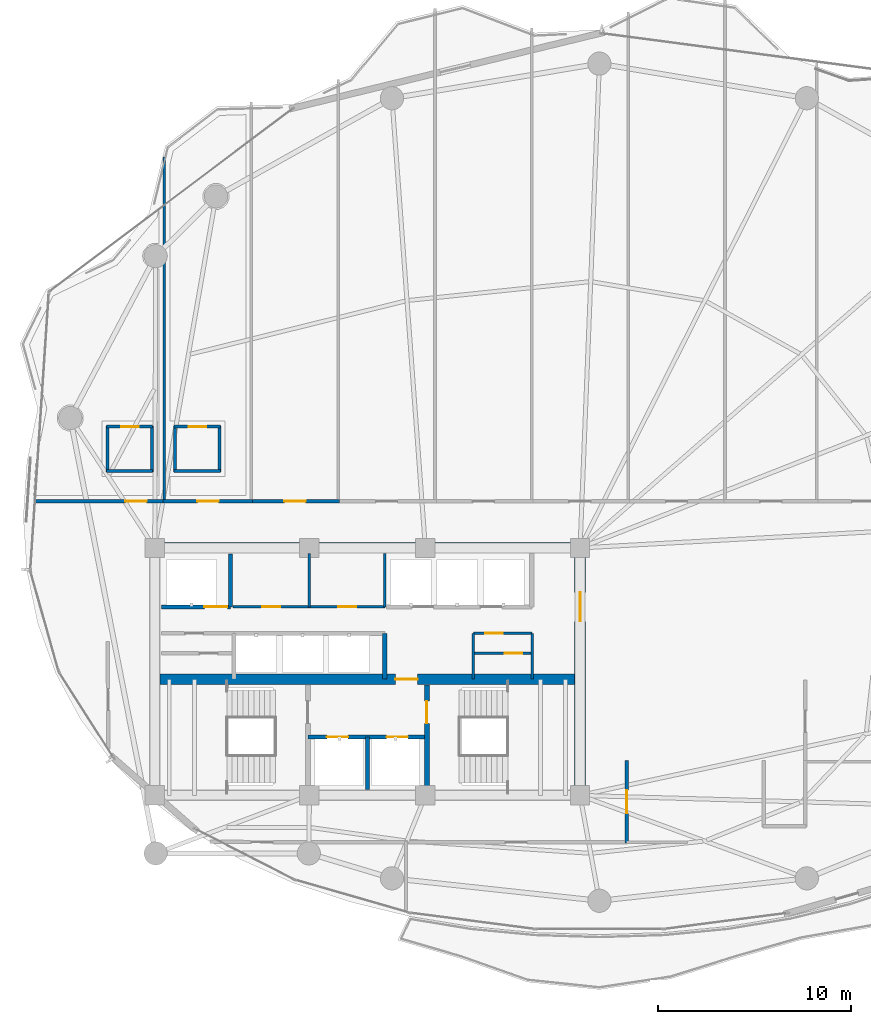
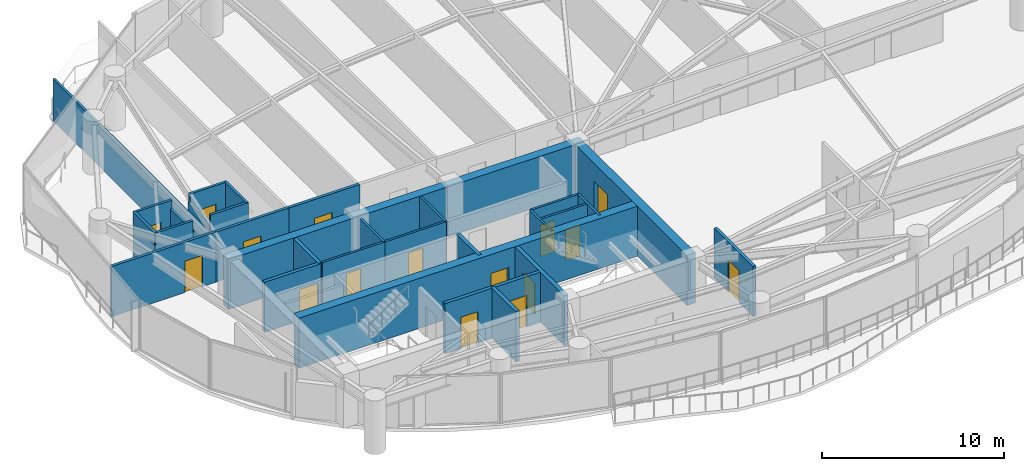
# One storey, part 25 of 30: 30 walls, 16 doors, 16 openings.
"""IFC4 building model written with IfcOpenShell, lengths in metres."""

from ifc_helpers import new_model, si_unit, direction, frame, frame_2d, origin, place, context, subcontext, project, spatial, rectangle, extrude, material, layer, layer_set, type_object, element, fill, save


model = new_model("IFC4")

# Units and contexts
model_context = context("Model", 3, precision=1e-05, world=origin(), true_north=direction((0.0, 1.0)))
body_context = subcontext(model_context, "Body", "Model", "MODEL_VIEW")
ifc_project = project(units=[si_unit("LENGTHUNIT", "METRE"), si_unit("AREAUNIT", "SQUARE_METRE"), si_unit("VOLUMEUNIT", "CUBIC_METRE"), si_unit("PLANEANGLEUNIT", "RADIAN"), si_unit("MASSUNIT", "GRAM", prefix="KILO")], contexts=[model_context])

# Site, building, storey
site_placement = place(None, origin())
site = spatial("IfcSite", under=ifc_project, at=site_placement, CompositionType="ELEMENT")
building_placement = place(site_placement, origin())
building = spatial("IfcBuilding", under=site, at=building_placement, Name="Kazevale Care Tower and Concert Hall", CompositionType="ELEMENT")
storey_placement = place(building_placement, frame((0.0, 0.0, 131.39990234375)))
storey = spatial("IfcBuildingStorey", under=building, at=storey_placement, Name="L34", CompositionType="ELEMENT", Elevation=131.39990234375)

# Wall, opening, door
ifc_material_1 = material(Name="Acoustic Gypsum on Steel Stud", Category="steel")
ifc_layer_1 = layer(ifc_material_1, 0.139892578125)
ifc_layer_set_1 = layer_set([ifc_layer_1], Name="Acoustic Gypsum on Steel Stud")
wall_type_1 = type_object("IfcWallType", Name="Acoustic Care & Suite Partition 140", PredefinedType="PARTITIONING", material=ifc_layer_set_1)
wall_1_placement = place(storey_placement, frame((26.050048828125, 33.35009765625, 0.0), z_axis=(0.0, 0.0, 1.0), x_axis=(1.0, 0.0, 0.0)))
wall_1 = element("IfcWall", 1, at=wall_1_placement, inside=storey, type_object=wall_type_1, Name="wall:L34:c_rpl1_s", PredefinedType="PARTITIONING", context=body_context, shape_type="SweptSolid", body=[
    extrude(rectangle(XDim=3.949951171875, YDim=0.139892578125, at=frame_2d((1.97509765625, 0.0))), origin(), (0.0, 0.0, 1.0), 3.360107421875),
])
opening_1_placement = place(wall_1_placement, frame((1.514892578125, 0.0, 0.0)))
opening_1 = element("IfcOpeningElement", 2, at=opening_1_placement, cuts=wall_1, Name="Opening ID-900", PredefinedType="OPENING", context=body_context, shape_type="SweptSolid", body=[
    extrude(rectangle(XDim=0.919921875, YDim=2.10009765625, at=frame_2d((0.4599609375, 1.050048828125))), frame((0.0, 0.079833984375, 0.0), z_axis=(0.0, -1.0, 0.0), x_axis=(1.0, 0.0, 0.0)), (0.0, 0.0, 1.0), 0.159912109375),
])
ifc_material_2 = material(Name="Oak Timber Fire Leaf", Category="wood")
door_type_1 = type_object("IfcDoorType", Name="Bathroom & Service Door 920x2100", OperationType="NOTDEFINED", PredefinedType="DOOR", material=ifc_material_2)
door_1_placement = place(opening_1_placement, origin())
door_1 = element("IfcDoor", 3, at=door_1_placement, inside=storey, type_object=door_type_1, Name="door:L34:d_rpl1", OperationType="SINGLE_SWING_LEFT", OverallHeight=2.10009765625, OverallWidth=0.919921875, PredefinedType="DOOR", context=body_context, shape_type="SweptSolid", body=[
    extrude(rectangle(XDim=0.919921875, YDim=2.10009765625, at=frame_2d((0.4599609375, 1.050048828125))), frame((0.0, 0.02490234375, 0.0), z_axis=(0.0, -1.0, 0.0), x_axis=(1.0, 0.0, 0.0)), (0.0, 0.0, 1.0), 0.050048828125),
])
fill(opening_1, door_1)

wall_2_placement = place(storey_placement, frame((30.0, 33.35009765625, 0.0), z_axis=(0.0, 0.0, 1.0), x_axis=(1.0, 0.0, 0.0)))
wall_2 = element("IfcWall", 4, at=wall_2_placement, inside=storey, type_object=wall_type_1, Name="wall:L34:c_rpl2_s", PredefinedType="PARTITIONING", context=body_context, shape_type="SweptSolid", body=[
    extrude(rectangle(XDim=3.919921875, YDim=0.139892578125, at=frame_2d((1.9599609375, 0.0))), origin(), (0.0, 0.0, 1.0), 3.360107421875),
])
opening_2_placement = place(wall_2_placement, frame((1.5, 0.0, 0.0)))
opening_2 = element("IfcOpeningElement", 5, at=opening_2_placement, cuts=wall_2, Name="Opening ID-900", PredefinedType="OPENING", context=body_context, shape_type="SweptSolid", body=[
    extrude(rectangle(XDim=0.919921875, YDim=2.10009765625, at=frame_2d((0.4599609375, 1.050048828125))), frame((0.0, 0.079833984375, 0.0), z_axis=(0.0, -1.0, 0.0), x_axis=(1.0, 0.0, 0.0)), (0.0, 0.0, 1.0), 0.159912109375),
])
door_2_placement = place(opening_2_placement, origin())
door_2 = element("IfcDoor", 6, at=door_2_placement, inside=storey, type_object=door_type_1, Name="door:L34:d_rpl2", OperationType="SINGLE_SWING_RIGHT", OverallHeight=2.10009765625, OverallWidth=0.919921875, PredefinedType="DOOR", context=body_context, shape_type="SweptSolid", body=[
    extrude(rectangle(XDim=0.919921875, YDim=2.10009765625, at=frame_2d((0.4599609375, 1.050048828125))), frame((0.0, 0.02490234375, 0.0), z_axis=(0.0, -1.0, 0.0), x_axis=(1.0, 0.0, 0.0)), (0.0, 0.0, 1.0), 0.050048828125),
])
fill(opening_2, door_2)

# Walls
for number, where, z_axis, x_axis, name in (
    (7, (30.0, 33.35009765625, 0.0), (0.0, 0.0, 1.0), (0.0, 1.0, 0.0), "wall:L34:c_rpl_m"),
    (8, (33.89990234375, 33.35009765625, 0.0), (0.0, 0.0, 1.0), (0.0, 1.0, 0.0), "wall:L34:c_rpl_e"),
):
    element("IfcWall", number, at=place(storey_placement, frame(where, z_axis=z_axis, x_axis=x_axis)), inside=storey, type_object=wall_type_1, Name=name, PredefinedType="PARTITIONING", context=body_context, shape_type="SweptSolid", body=[
        extrude(rectangle(XDim=2.75, YDim=0.139892578125, at=frame_2d((1.375, 0.0))), origin(), (0.0, 0.0, 1.0), 3.360107421875),
    ])
for number, where, z_axis, x_axis, name in (
    (9, (38.47998046875, 29.6201171875, 0.0), (0.0, 0.0, 1.0), (0.0, 1.0, 0.0), "wall:L34:kc_ew"),
    (10, (41.52001953125, 29.6201171875, 0.0), (0.0, 0.0, 1.0), (0.0, 1.0, 0.0), "wall:L34:kc_ee"),
):
    element("IfcWall", number, at=place(storey_placement, frame(where, z_axis=z_axis, x_axis=x_axis)), inside=storey, type_object=wall_type_1, Name=name, PredefinedType="PARTITIONING", context=body_context, shape_type="SweptSolid", body=[
        extrude(rectangle(XDim=2.35986328125, YDim=0.139892578125, at=frame_2d((1.179931640625, 0.0))), origin(), (0.0, 0.0, 1.0), 3.360107421875),
    ])

# Wall, opening, door
wall_3_placement = place(storey_placement, frame((38.47998046875, 30.949951171875, 0.0), z_axis=(0.0, 0.0, 1.0), x_axis=(1.0, 0.0, 0.0)))
wall_3 = element("IfcWall", 11, at=wall_3_placement, inside=storey, type_object=wall_type_1, Name="wall:L34:kc_em", PredefinedType="PARTITIONING", context=body_context, shape_type="SweptSolid", body=[
    extrude(rectangle(XDim=3.0400390625, YDim=0.139892578125, at=frame_2d((1.52001953125, 0.0))), origin(), (0.0, 0.0, 1.0), 3.360107421875),
])
opening_3_placement = place(wall_3_placement, frame((1.616943359375, 0.0, 0.0)))
opening_3 = element("IfcOpeningElement", 12, at=opening_3_placement, cuts=wall_3, Name="Opening ID-900", PredefinedType="OPENING", context=body_context, shape_type="SweptSolid", body=[
    extrude(rectangle(XDim=0.919921875, YDim=2.10009765625, at=frame_2d((0.4599609375, 1.050048828125))), frame((0.0, 0.079833984375, 0.0), z_axis=(0.0, -1.0, 0.0), x_axis=(1.0, 0.0, 0.0)), (0.0, 0.0, 1.0), 0.159912109375),
])
door_3_placement = place(opening_3_placement, origin())
door_3 = element("IfcDoor", 13, at=door_3_placement, inside=storey, type_object=door_type_1, Name="door:L34:d_kceb", OperationType="SINGLE_SWING_RIGHT", OverallHeight=2.10009765625, OverallWidth=0.919921875, PredefinedType="DOOR", context=body_context, shape_type="SweptSolid", body=[
    extrude(rectangle(XDim=0.919921875, YDim=2.10009765625, at=frame_2d((0.4599609375, 1.050048828125))), frame((0.0, 0.02490234375, 0.0), z_axis=(0.0, -1.0, 0.0), x_axis=(1.0, 0.0, 0.0)), (0.0, 0.0, 1.0), 0.050048828125),
])
fill(opening_3, door_3)

wall_4_placement = place(storey_placement, frame((38.47998046875, 31.97998046875, 0.0), z_axis=(0.0, 0.0, 1.0), x_axis=(1.0, 0.0, 0.0)))
wall_4 = element("IfcWall", 14, at=wall_4_placement, inside=storey, type_object=wall_type_1, Name="wall:L34:kc_en", PredefinedType="PARTITIONING", context=body_context, shape_type="SweptSolid", body=[
    extrude(rectangle(XDim=3.0400390625, YDim=0.139892578125, at=frame_2d((1.52001953125, 0.0))), origin(), (0.0, 0.0, 1.0), 3.360107421875),
])
opening_4_placement = place(wall_4_placement, frame((0.614013671875, 0.0, 0.0)))
opening_4 = element("IfcOpeningElement", 15, at=opening_4_placement, cuts=wall_4, Name="Opening ID-900", PredefinedType="OPENING", context=body_context, shape_type="SweptSolid", body=[
    extrude(rectangle(XDim=0.919921875, YDim=2.10009765625, at=frame_2d((0.4599609375, 1.050048828125))), frame((0.0, 0.079833984375, 0.0), z_axis=(0.0, -1.0, 0.0), x_axis=(1.0, 0.0, 0.0)), (0.0, 0.0, 1.0), 0.159912109375),
])
door_4_placement = place(opening_4_placement, origin())
door_4 = element("IfcDoor", 16, at=door_4_placement, inside=storey, type_object=door_type_1, Name="door:L34:d_kcet", OperationType="SINGLE_SWING_LEFT", OverallHeight=2.10009765625, OverallWidth=0.919921875, PredefinedType="DOOR", context=body_context, shape_type="SweptSolid", body=[
    extrude(rectangle(XDim=0.919921875, YDim=2.10009765625, at=frame_2d((0.4599609375, 1.050048828125))), frame((0.0, 0.02490234375, 0.0), z_axis=(0.0, -1.0, 0.0), x_axis=(1.0, 0.0, 0.0)), (0.0, 0.0, 1.0), 0.050048828125),
])
fill(opening_4, door_4)

# Walls
wall_5_placement = place(storey_placement, frame((22.5, 56.613037109375, 0.0), z_axis=(0.0, 0.0, 1.0), x_axis=(0.0, -1.0, 0.0)))
element("IfcWall", 17, at=wall_5_placement, inside=storey, type_object=wall_type_1, Name="wall:L34:auto_019", PredefinedType="PARTITIONING", context=body_context, shape_type="SweptSolid", body=[
    extrude(rectangle(XDim=17.818115234375, YDim=0.139892578125, at=frame_2d((8.9091796875, 0.0))), origin(), (0.0, 0.0, 1.0), 2.80615234375),
])
ifc_material_3 = material(Name="Concrete C60", Category="concrete")
ifc_layer_2 = layer(ifc_material_3, 0.550048828125)
ifc_layer_set_2 = layer_set([ifc_layer_2], Name="Concrete C60")
wall_type_2 = type_object("IfcWallType", Name="Core Shear Wall 550 C60", PredefinedType="SHEAR", material=ifc_layer_set_2)
wall_6_placement = place(storey_placement, frame((21.72509765625, 36.39990234375, 0.0), z_axis=(0.0, 0.0, 1.0), x_axis=(1.0, 0.0, 0.0)))
element("IfcWall", 18, at=wall_6_placement, inside=storey, type_object=wall_type_2, Name="wall:L34:core:N", PredefinedType="SHEAR", context=body_context, shape_type="SweptSolid", body=[
    extrude(rectangle(XDim=22.5498046875, YDim=0.550048828125, at=frame_2d((11.27490234375, 0.0))), origin(), (0.0, 0.0, 1.0), 3.360107421875),
])

# Wall, opening, door
wall_7_placement = place(storey_placement, frame((44.0, 23.875, 0.0), z_axis=(0.0, 0.0, 1.0), x_axis=(0.0, 1.0, 0.0)))
wall_7 = element("IfcWall", 19, at=wall_7_placement, inside=storey, type_object=wall_type_2, Name="wall:L34:core:E", PredefinedType="SHEAR", context=body_context, shape_type="SweptSolid", body=[
    extrude(rectangle(XDim=12.25, YDim=0.550048828125, at=frame_2d((6.125, 0.0))), origin(), (0.0, 0.0, 1.0), 3.360107421875),
])
opening_5_placement = place(wall_7_placement, frame((8.72509765625, 0.0, 0.0)))
opening_5 = element("IfcOpeningElement", 20, at=opening_5_placement, cuts=wall_7, Name="Opening FD-60D", PredefinedType="OPENING", context=body_context, shape_type="SweptSolid", body=[
    extrude(rectangle(XDim=1.5, YDim=2.14990234375, at=frame_2d((0.75, 1.074951171875))), frame((0.0, 0.284912109375, 0.0), z_axis=(0.0, -1.0, 0.0), x_axis=(1.0, 0.0, 0.0)), (0.0, 0.0, 1.0), 0.570068359375),
])
door_type_2 = type_object("IfcDoorType", Name="Double Lobby & Auditorium Fire Door 1500x2150", OperationType="NOTDEFINED", PredefinedType="DOOR", material=ifc_material_2)
door_5_placement = place(opening_5_placement, origin())
door_5 = element("IfcDoor", 21, at=door_5_placement, inside=storey, type_object=door_type_2, Name="door:L34:core_east_out", OperationType="DOUBLE_DOOR_SINGLE_SWING", OverallHeight=2.14990234375, OverallWidth=1.5, PredefinedType="DOOR", context=body_context, shape_type="SweptSolid", body=[
    extrude(rectangle(XDim=1.5, YDim=2.14990234375, at=frame_2d((0.75, 1.074951171875))), frame((0.0, 0.02490234375, 0.0), z_axis=(0.0, -1.0, 0.0), x_axis=(1.0, 0.0, 0.0)), (0.0, 0.0, 1.0), 0.050048828125),
])
fill(opening_5, door_5)

wall_8_placement = place(storey_placement, frame((22.27490234375, 29.60009765625, 0.0), z_axis=(0.0, 0.0, 1.0), x_axis=(1.0, 0.0, 0.0)))
wall_8 = element("IfcWall", 22, at=wall_8_placement, inside=storey, type_object=wall_type_2, Name="wall:L34:core:M", PredefinedType="SHEAR", context=body_context, shape_type="SweptSolid", body=[
    extrude(rectangle(XDim=21.4501953125, YDim=0.550048828125, at=frame_2d((10.72509765625, 0.0))), origin(), (0.0, 0.0, 1.0), 3.360107421875),
])
opening_6_placement = place(wall_8_placement, frame((12.175048828125, 0.0, 0.0)))
opening_6 = element("IfcOpeningElement", 23, at=opening_6_placement, cuts=wall_8, Name="Opening FD-90", PredefinedType="OPENING", context=body_context, shape_type="SweptSolid", body=[
    extrude(rectangle(XDim=1.14990234375, YDim=2.10009765625, at=frame_2d((0.574951171875, 1.050048828125))), frame((0.0, 0.284912109375, 0.0), z_axis=(0.0, -1.0, 0.0), x_axis=(1.0, 0.0, 0.0)), (0.0, 0.0, 1.0), 0.570068359375),
])
ifc_material_4 = material(Name="Steel ASTM A572 Gr 50", Category="steel")
door_type_3 = type_object("IfcDoorType", Name="Pressurized Stair & Lobby Fire Door 1150x2100", OperationType="NOTDEFINED", PredefinedType="DOOR", material=ifc_material_4)
door_6_placement = place(opening_6_placement, origin())
door_6 = element("IfcDoor", 24, at=door_6_placement, inside=storey, type_object=door_type_3, Name="door:L34:ff_to_pax", OperationType="SINGLE_SWING_LEFT", OverallHeight=2.10009765625, OverallWidth=1.14990234375, PredefinedType="DOOR", context=body_context, shape_type="SweptSolid", body=[
    extrude(rectangle(XDim=1.14990234375, YDim=2.10009765625, at=frame_2d((0.574951171875, 1.050048828125))), frame((0.0, 0.02490234375, 0.0), z_axis=(0.0, -1.0, 0.0), x_axis=(1.0, 0.0, 0.0)), (0.0, 0.0, 1.0), 0.050048828125),
])
fill(opening_6, door_6)

# Wall, openings, doors
ifc_material_5 = material(Name="Concrete C40", Category="concrete")
ifc_layer_3 = layer(ifc_material_5, 0.219970703125)
ifc_layer_set_3 = layer_set([ifc_layer_3], Name="Concrete C40")
wall_type_3 = type_object("IfcWallType", Name="Elevator Hoistway Shaft Wall 220", PredefinedType="SOLIDWALL", material=ifc_layer_set_3)
wall_9_placement = place(storey_placement, frame((29.919921875, 26.6201171875, 0.0), z_axis=(0.0, 0.0, 1.0), x_axis=(1.0, 0.0, 0.0)))
wall_9 = element("IfcWall", 25, at=wall_9_placement, inside=storey, type_object=wall_type_3, Name="wall:L34:c_ffl_n", PredefinedType="SOLIDWALL", context=body_context, shape_type="SweptSolid", body=[
    extrude(rectangle(XDim=6.16015625, YDim=0.219970703125, at=frame_2d((3.080078125, 0.0))), origin(), (0.0, 0.0, 1.0), 3.360107421875),
])
opening_7_placement = place(wall_9_placement, frame((0.989990234375, 0.0, 0.0)))
opening_7 = element("IfcOpeningElement", 26, at=opening_7_placement, cuts=wall_9, Name="Opening LD-FF", PredefinedType="OPENING", context=body_context, shape_type="SweptSolid", body=[
    extrude(rectangle(XDim=1.10009765625, YDim=2.10009765625, at=frame_2d((0.550048828125, 1.050048828125))), frame((0.0, 0.119873046875, 0.0), z_axis=(0.0, -1.0, 0.0), x_axis=(1.0, 0.0, 0.0)), (0.0, 0.0, 1.0), 0.239990234375),
])
opening_8_placement = place(wall_9_placement, frame((4.070068359375, 0.0, 0.0)))
opening_8 = element("IfcOpeningElement", 27, at=opening_8_placement, cuts=wall_9, Name="Opening LD-FF", PredefinedType="OPENING", context=body_context, shape_type="SweptSolid", body=[
    extrude(rectangle(XDim=1.10009765625, YDim=2.10009765625, at=frame_2d((0.550048828125, 1.050048828125))), frame((0.0, 0.119873046875, 0.0), z_axis=(0.0, -1.0, 0.0), x_axis=(1.0, 0.0, 0.0)), (0.0, 0.0, 1.0), 0.239990234375),
])
ifc_material_6 = material(Name="Stainless Steel 316", Category="steel")
door_type_4 = type_object("IfcDoorType", Name="Emergency Lift Sliding Landing Door 1100x2100", OperationType="NOTDEFINED", PredefinedType="DOOR", material=ifc_material_6)
door_7_placement = place(opening_7_placement, origin())
door_7 = element("IfcDoor", 28, at=door_7_placement, inside=storey, type_object=door_type_4, Name="door:L34:ld_ffl1", OperationType="SLIDING_TO_LEFT", OverallHeight=2.10009765625, OverallWidth=1.10009765625, PredefinedType="DOOR", context=body_context, shape_type="SweptSolid", body=[
    extrude(rectangle(XDim=1.10009765625, YDim=2.10009765625, at=frame_2d((0.550048828125, 1.050048828125))), frame((0.0, 0.02490234375, 0.0), z_axis=(0.0, -1.0, 0.0), x_axis=(1.0, 0.0, 0.0)), (0.0, 0.0, 1.0), 0.050048828125),
])
fill(opening_7, door_7)
door_8_placement = place(opening_8_placement, origin())
door_8 = element("IfcDoor", 29, at=door_8_placement, inside=storey, type_object=door_type_4, Name="door:L34:ld_ffl2", OperationType="SLIDING_TO_RIGHT", OverallHeight=2.10009765625, OverallWidth=1.10009765625, PredefinedType="DOOR", context=body_context, shape_type="SweptSolid", body=[
    extrude(rectangle(XDim=1.10009765625, YDim=2.10009765625, at=frame_2d((0.550048828125, 1.050048828125))), frame((0.0, 0.02490234375, 0.0), z_axis=(0.0, -1.0, 0.0), x_axis=(1.0, 0.0, 0.0)), (0.0, 0.0, 1.0), 0.050048828125),
])
fill(opening_8, door_8)

# Walls
wall_10_placement = place(storey_placement, frame((33.0, 23.89990234375, 0.0), z_axis=(0.0, 0.0, 1.0), x_axis=(0.0, 1.0, 0.0)))
element("IfcWall", 30, at=wall_10_placement, inside=storey, type_object=wall_type_3, Name="wall:L34:c_ffl_m", PredefinedType="SOLIDWALL", context=body_context, shape_type="SweptSolid", body=[
    extrude(rectangle(XDim=2.72021484375, YDim=0.219970703125, at=frame_2d((1.360107421875, 0.0))), origin(), (0.0, 0.0, 1.0), 3.360107421875),
])
wall_11_placement = place(storey_placement, frame((25.919921875, 33.35009765625, 0.0), z_axis=(0.0, 0.0, 1.0), x_axis=(0.0, 1.0, 0.0)))
element("IfcWall", 31, at=wall_11_placement, inside=storey, type_object=wall_type_3, Name="wall:L34:c_svl_e", PredefinedType="SOLIDWALL", context=body_context, shape_type="SweptSolid", body=[
    extrude(rectangle(XDim=2.72998046875, YDim=0.219970703125, at=frame_2d((1.364990234375, 0.0))), origin(), (0.0, 0.0, 1.0), 3.360107421875),
])

# Wall, opening, door
wall_12_placement = place(storey_placement, frame((22.35009765625, 33.35009765625, 0.0), z_axis=(0.0, 0.0, 1.0), x_axis=(1.0, 0.0, 0.0)))
wall_12 = element("IfcWall", 32, at=wall_12_placement, inside=storey, type_object=wall_type_3, Name="wall:L34:c_svl_s", PredefinedType="SOLIDWALL", context=body_context, shape_type="SweptSolid", body=[
    extrude(rectangle(XDim=3.56982421875, YDim=0.219970703125, at=frame_2d((1.784912109375, 0.0))), origin(), (0.0, 0.0, 1.0), 3.360107421875),
])
opening_9_placement = place(wall_12_placement, frame((2.212890625, 0.0, 0.0)))
opening_9 = element("IfcOpeningElement", 33, at=opening_9_placement, cuts=wall_12, Name="Opening LD-SV", PredefinedType="OPENING", context=body_context, shape_type="SweptSolid", body=[
    extrude(rectangle(XDim=1.199951171875, YDim=2.10009765625, at=frame_2d((0.60009765625, 1.050048828125))), frame((0.0, 0.119873046875, 0.0), z_axis=(0.0, -1.0, 0.0), x_axis=(1.0, 0.0, 0.0)), (0.0, 0.0, 1.0), 0.239990234375),
])
door_type_5 = type_object("IfcDoorType", Name="Service Lift Sliding Landing Door 1200x2100", OperationType="NOTDEFINED", PredefinedType="DOOR", material=ifc_material_6)
door_9_placement = place(opening_9_placement, origin())
door_9 = element("IfcDoor", 34, at=door_9_placement, inside=storey, type_object=door_type_5, Name="door:L34:ld_svl1", OperationType="SLIDING_TO_LEFT", OverallHeight=2.10009765625, OverallWidth=1.199951171875, PredefinedType="DOOR", context=body_context, shape_type="SweptSolid", body=[
    extrude(rectangle(XDim=1.199951171875, YDim=2.10009765625, at=frame_2d((0.60009765625, 1.050048828125))), frame((0.0, 0.02490234375, 0.0), z_axis=(0.0, -1.0, 0.0), x_axis=(1.0, 0.0, 0.0)), (0.0, 0.0, 1.0), 0.050048828125),
])
fill(opening_9, door_9)

# Wall
wall_13_placement = place(storey_placement, frame((33.89990234375, 29.6201171875, 0.0), z_axis=(0.0, 0.0, 1.0), x_axis=(0.0, 1.0, 0.0)))
element("IfcWall", 35, at=wall_13_placement, inside=storey, type_object=wall_type_3, Name="wall:L34:c_ph_e", PredefinedType="SOLIDWALL", context=body_context, shape_type="SweptSolid", body=[
    extrude(rectangle(XDim=2.35986328125, YDim=0.219970703125, at=frame_2d((1.179931640625, 0.0))), origin(), (0.0, 0.0, 1.0), 3.360107421875),
])

# Wall, opening, door
ifc_material_7 = material(Name="Concrete C40 and Acoustic Gypsum", Category="concrete")
ifc_layer_4 = layer(ifc_material_7, 0.179931640625)
ifc_layer_set_4 = layer_set([ifc_layer_4], Name="Concrete C40 and Acoustic Gypsum")
wall_type_4 = type_object("IfcWallType", Name="Fire-Rated Corridor & Party Wall 180", PredefinedType="PARTITIONING", material=ifc_layer_set_4)
wall_14_placement = place(storey_placement, frame((15.816650390625, 38.824951171875, 0.0), z_axis=(0.0, 0.0, 1.0), x_axis=(1.0, 0.0, 0.0)))
wall_14 = element("IfcWall", 36, at=wall_14_placement, inside=storey, type_object=wall_type_4, Name="wall:L34:auto_001", PredefinedType="PARTITIONING", context=body_context, shape_type="SweptSolid", body=[
    extrude(rectangle(XDim=6.748291015625, YDim=0.179931640625, at=frame_2d((3.3740234375, 0.0))), origin(), (0.0, 0.0, 1.0), 3.360107421875),
])
opening_10_placement = place(wall_14_placement, frame((4.6630859375, 0.0, 0.0)))
opening_10 = element("IfcOpeningElement", 37, at=opening_10_placement, cuts=wall_14, Name="Opening ID-1100", PredefinedType="OPENING", context=body_context, shape_type="SweptSolid", body=[
    extrude(rectangle(XDim=1.10009765625, YDim=2.10009765625, at=frame_2d((0.550048828125, 1.050048828125))), frame((0.0, 0.099853515625, 0.0), z_axis=(0.0, -1.0, 0.0), x_axis=(1.0, 0.0, 0.0)), (0.0, 0.0, 1.0), 0.199951171875),
])
door_type_6 = type_object("IfcDoorType", Name="Care Bedroom Accessible Door 1100x2100", OperationType="NOTDEFINED", PredefinedType="DOOR", material=ifc_material_2)
door_10_placement = place(opening_10_placement, origin())
door_10 = element("IfcDoor", 38, at=door_10_placement, inside=storey, type_object=door_type_6, Name="door:L34:ad_001", OperationType="SINGLE_SWING_LEFT", OverallHeight=2.10009765625, OverallWidth=1.10009765625, PredefinedType="DOOR", context=body_context, shape_type="SweptSolid", body=[
    extrude(rectangle(XDim=1.10009765625, YDim=2.10009765625, at=frame_2d((0.550048828125, 1.050048828125))), frame((0.0, 0.02490234375, 0.0), z_axis=(0.0, -1.0, 0.0), x_axis=(1.0, 0.0, 0.0)), (0.0, 0.0, 1.0), 0.050048828125),
])
fill(opening_10, door_10)

wall_15_placement = place(storey_placement, frame((22.43505859375, 38.824951171875, 0.0), z_axis=(0.0, 0.0, 1.0), x_axis=(1.0, 0.0, 0.0)))
wall_15 = element("IfcWall", 39, at=wall_15_placement, inside=storey, type_object=wall_type_4, Name="wall:L34:auto_002", PredefinedType="PARTITIONING", context=body_context, shape_type="SweptSolid", body=[
    extrude(rectangle(XDim=4.6298828125, YDim=0.179931640625, at=frame_2d((2.31494140625, 0.0))), origin(), (0.0, 0.0, 1.0), 3.360107421875),
])
opening_11_placement = place(wall_15_placement, frame((1.764892578125, 0.0, 0.0)))
opening_11 = element("IfcOpeningElement", 40, at=opening_11_placement, cuts=wall_15, Name="Opening ID-1100", PredefinedType="OPENING", context=body_context, shape_type="SweptSolid", body=[
    extrude(rectangle(XDim=1.10009765625, YDim=2.10009765625, at=frame_2d((0.550048828125, 1.050048828125))), frame((0.0, 0.099853515625, 0.0), z_axis=(0.0, -1.0, 0.0), x_axis=(1.0, 0.0, 0.0)), (0.0, 0.0, 1.0), 0.199951171875),
])
door_11_placement = place(opening_11_placement, origin())
door_11 = element("IfcDoor", 41, at=door_11_placement, inside=storey, type_object=door_type_6, Name="door:L34:ad_002", OperationType="SINGLE_SWING_LEFT", OverallHeight=2.10009765625, OverallWidth=1.10009765625, PredefinedType="DOOR", context=body_context, shape_type="SweptSolid", body=[
    extrude(rectangle(XDim=1.10009765625, YDim=2.10009765625, at=frame_2d((0.550048828125, 1.050048828125))), frame((0.0, 0.02490234375, 0.0), z_axis=(0.0, -1.0, 0.0), x_axis=(1.0, 0.0, 0.0)), (0.0, 0.0, 1.0), 0.050048828125),
])
fill(opening_11, door_11)

wall_16_placement = place(storey_placement, frame((26.93505859375, 38.824951171875, 0.0), z_axis=(0.0, 0.0, 1.0), x_axis=(1.0, 0.0, 0.0)))
wall_16 = element("IfcWall", 42, at=wall_16_placement, inside=storey, type_object=wall_type_4, Name="wall:L34:auto_003", PredefinedType="PARTITIONING", context=body_context, shape_type="SweptSolid", body=[
    extrude(rectangle(XDim=4.6298828125, YDim=0.179931640625, at=frame_2d((2.31494140625, 0.0))), origin(), (0.0, 0.0, 1.0), 3.360107421875),
])
opening_12_placement = place(wall_16_placement, frame((1.764892578125, 0.0, 0.0)))
opening_12 = element("IfcOpeningElement", 43, at=opening_12_placement, cuts=wall_16, Name="Opening ID-1100", PredefinedType="OPENING", context=body_context, shape_type="SweptSolid", body=[
    extrude(rectangle(XDim=1.10009765625, YDim=2.10009765625, at=frame_2d((0.550048828125, 1.050048828125))), frame((0.0, 0.099853515625, 0.0), z_axis=(0.0, -1.0, 0.0), x_axis=(1.0, 0.0, 0.0)), (0.0, 0.0, 1.0), 0.199951171875),
])
door_12_placement = place(opening_12_placement, origin())
door_12 = element("IfcDoor", 44, at=door_12_placement, inside=storey, type_object=door_type_6, Name="door:L34:ad_003", OperationType="SINGLE_SWING_LEFT", OverallHeight=2.10009765625, OverallWidth=1.10009765625, PredefinedType="DOOR", context=body_context, shape_type="SweptSolid", body=[
    extrude(rectangle(XDim=1.10009765625, YDim=2.10009765625, at=frame_2d((0.550048828125, 1.050048828125))), frame((0.0, 0.02490234375, 0.0), z_axis=(0.0, -1.0, 0.0), x_axis=(1.0, 0.0, 0.0)), (0.0, 0.0, 1.0), 0.050048828125),
])
fill(opening_12, door_12)

wall_17_placement = place(storey_placement, frame((46.425048828125, 25.405029296875, 0.0), z_axis=(0.0, 0.0, 1.0), x_axis=(0.0, -1.0, 0.0)))
wall_17 = element("IfcWall", 45, at=wall_17_placement, inside=storey, type_object=wall_type_4, Name="wall:L34:auto_011", PredefinedType="PARTITIONING", context=body_context, shape_type="SweptSolid", body=[
    extrude(rectangle(XDim=4.260009765625, YDim=0.179931640625, at=frame_2d((2.1298828125, 0.0))), origin(), (0.0, 0.0, 1.0), 3.360107421875),
])
opening_13_placement = place(wall_17_placement, frame((1.530029296875, 0.0, 0.0)))
opening_13 = element("IfcOpeningElement", 46, at=opening_13_placement, cuts=wall_17, Name="Opening ID-1200", PredefinedType="OPENING", context=body_context, shape_type="SweptSolid", body=[
    extrude(rectangle(XDim=1.199951171875, YDim=2.14990234375, at=frame_2d((0.60009765625, 1.074951171875))), frame((0.0, 0.099853515625, 0.0), z_axis=(0.0, -1.0, 0.0), x_axis=(1.0, 0.0, 0.0)), (0.0, 0.0, 1.0), 0.199951171875),
])
door_type_7 = type_object("IfcDoorType", Name="Clinical & Therapy Door 1200x2150", OperationType="NOTDEFINED", PredefinedType="DOOR", material=ifc_material_2)
door_13_placement = place(opening_13_placement, origin())
door_13 = element("IfcDoor", 47, at=door_13_placement, inside=storey, type_object=door_type_7, Name="door:L34:ad_011", OperationType="SINGLE_SWING_LEFT", OverallHeight=2.14990234375, OverallWidth=1.199951171875, PredefinedType="DOOR", context=body_context, shape_type="SweptSolid", body=[
    extrude(rectangle(XDim=1.199951171875, YDim=2.14990234375, at=frame_2d((0.60009765625, 1.074951171875))), frame((0.0, 0.02490234375, 0.0), z_axis=(0.0, -1.0, 0.0), x_axis=(1.0, 0.0, 0.0)), (0.0, 0.0, 1.0), 0.050048828125),
])
fill(opening_13, door_13)

# Wall
ifc_layer_5 = layer(ifc_material_1, 0.159912109375)
ifc_layer_set_5 = layer_set([ifc_layer_5], Name="Acoustic Gypsum on Steel Stud")
wall_type_5 = type_object("IfcWallType", Name="Moisture-Resistant Bathroom Plumbing Wall 160", PredefinedType="PLUMBINGWALL", material=ifc_layer_set_5)
wall_18_placement = place(storey_placement, frame((19.51806640625, 40.375, 0.0), z_axis=(0.0, 0.0, 1.0), x_axis=(1.0, 0.0, 0.0)))
element("IfcWall", 48, at=wall_18_placement, inside=storey, type_object=wall_type_5, Name="wall:L34:nb1_ens_ws", PredefinedType="PLUMBINGWALL", context=body_context, shape_type="SweptSolid", body=[
    extrude(rectangle(XDim=2.3798828125, YDim=0.159912109375, at=frame_2d((1.18994140625, 0.0))), origin(), (0.0, 0.0, 1.0), 3.360107421875),
])

# Wall, opening, door
wall_19_placement = place(storey_placement, frame((19.51806640625, 42.675048828125, 0.0), z_axis=(0.0, 0.0, 1.0), x_axis=(1.0, 0.0, 0.0)))
wall_19 = element("IfcWall", 49, at=wall_19_placement, inside=storey, type_object=wall_type_5, Name="wall:L34:nb1_ens_wn", PredefinedType="PLUMBINGWALL", context=body_context, shape_type="SweptSolid", body=[
    extrude(rectangle(XDim=2.3798828125, YDim=0.159912109375, at=frame_2d((1.18994140625, 0.0))), origin(), (0.0, 0.0, 1.0), 3.360107421875),
])
opening_14_placement = place(wall_19_placement, frame((0.739990234375, 0.0, 0.0)))
opening_14 = element("IfcOpeningElement", 50, at=opening_14_placement, cuts=wall_19, Name="Opening ID-900", PredefinedType="OPENING", context=body_context, shape_type="SweptSolid", body=[
    extrude(rectangle(XDim=0.919921875, YDim=2.10009765625, at=frame_2d((0.4599609375, 1.050048828125))), frame((0.0, 0.08984375, 0.0), z_axis=(0.0, -1.0, 0.0), x_axis=(1.0, 0.0, 0.0)), (0.0, 0.0, 1.0), 0.179931640625),
])
door_14_placement = place(opening_14_placement, origin())
door_14 = element("IfcDoor", 51, at=door_14_placement, inside=storey, type_object=door_type_1, Name="door:L34:nb1_ens_d", OperationType="SINGLE_SWING_RIGHT", OverallHeight=2.10009765625, OverallWidth=0.919921875, PredefinedType="DOOR", context=body_context, shape_type="SweptSolid", body=[
    extrude(rectangle(XDim=0.919921875, YDim=2.10009765625, at=frame_2d((0.4599609375, 1.050048828125))), frame((0.0, 0.02490234375, 0.0), z_axis=(0.0, -1.0, 0.0), x_axis=(1.0, 0.0, 0.0)), (0.0, 0.0, 1.0), 0.050048828125),
])
fill(opening_14, door_14)

# Walls
wall_20_placement = place(storey_placement, frame((19.55810546875, 40.3349609375, 0.0), z_axis=(0.0, 0.0, 1.0), x_axis=(0.0, 1.0, 0.0)))
element("IfcWall", 52, at=wall_20_placement, inside=storey, type_object=wall_type_5, Name="wall:L34:nb1_ens_ww", PredefinedType="PLUMBINGWALL", context=body_context, shape_type="SweptSolid", body=[
    extrude(rectangle(XDim=2.380126953125, YDim=0.159912109375, at=frame_2d((1.18994140625, 0.0))), origin(), (0.0, 0.0, 1.0), 3.360107421875),
])
wall_21_placement = place(storey_placement, frame((21.85791015625, 40.3349609375, 0.0), z_axis=(0.0, 0.0, 1.0), x_axis=(0.0, 1.0, 0.0)))
element("IfcWall", 53, at=wall_21_placement, inside=storey, type_object=wall_type_5, Name="wall:L34:nb1_ens_we", PredefinedType="PLUMBINGWALL", context=body_context, shape_type="SweptSolid", body=[
    extrude(rectangle(XDim=2.380126953125, YDim=0.159912109375, at=frame_2d((1.18994140625, 0.0))), origin(), (0.0, 0.0, 1.0), 2.80615234375),
])
wall_22_placement = place(storey_placement, frame((23.010009765625, 40.375, 0.0), z_axis=(0.0, 0.0, 1.0), x_axis=(1.0, 0.0, 0.0)))
element("IfcWall", 54, at=wall_22_placement, inside=storey, type_object=wall_type_5, Name="wall:L34:nb2a_ens_ws", PredefinedType="PLUMBINGWALL", context=body_context, shape_type="SweptSolid", body=[
    extrude(rectangle(XDim=2.3798828125, YDim=0.159912109375, at=frame_2d((1.18994140625, 0.0))), origin(), (0.0, 0.0, 1.0), 3.360107421875),
])

# Wall, opening, door
wall_23_placement = place(storey_placement, frame((23.010009765625, 42.675048828125, 0.0), z_axis=(0.0, 0.0, 1.0), x_axis=(1.0, 0.0, 0.0)))
wall_23 = element("IfcWall", 55, at=wall_23_placement, inside=storey, type_object=wall_type_5, Name="wall:L34:nb2a_ens_wn", PredefinedType="PLUMBINGWALL", context=body_context, shape_type="SweptSolid", body=[
    extrude(rectangle(XDim=2.3798828125, YDim=0.159912109375, at=frame_2d((1.18994140625, 0.0))), origin(), (0.0, 0.0, 1.0), 3.360107421875),
])
opening_15_placement = place(wall_23_placement, frame((0.739990234375, 0.0, 0.0)))
opening_15 = element("IfcOpeningElement", 56, at=opening_15_placement, cuts=wall_23, Name="Opening ID-900", PredefinedType="OPENING", context=body_context, shape_type="SweptSolid", body=[
    extrude(rectangle(XDim=0.919921875, YDim=2.10009765625, at=frame_2d((0.4599609375, 1.050048828125))), frame((0.0, 0.08984375, 0.0), z_axis=(0.0, -1.0, 0.0), x_axis=(1.0, 0.0, 0.0)), (0.0, 0.0, 1.0), 0.179931640625),
])
door_15_placement = place(opening_15_placement, origin())
door_15 = element("IfcDoor", 57, at=door_15_placement, inside=storey, type_object=door_type_1, Name="door:L34:nb2a_ens_d", OperationType="SINGLE_SWING_LEFT", OverallHeight=2.10009765625, OverallWidth=0.919921875, PredefinedType="DOOR", context=body_context, shape_type="SweptSolid", body=[
    extrude(rectangle(XDim=0.919921875, YDim=2.10009765625, at=frame_2d((0.4599609375, 1.050048828125))), frame((0.0, 0.02490234375, 0.0), z_axis=(0.0, -1.0, 0.0), x_axis=(1.0, 0.0, 0.0)), (0.0, 0.0, 1.0), 0.050048828125),
])
fill(opening_15, door_15)

# Walls
wall_24_placement = place(storey_placement, frame((23.050048828125, 40.3349609375, 0.0), z_axis=(0.0, 0.0, 1.0), x_axis=(0.0, 1.0, 0.0)))
element("IfcWall", 58, at=wall_24_placement, inside=storey, type_object=wall_type_5, Name="wall:L34:nb2a_ens_ww", PredefinedType="PLUMBINGWALL", context=body_context, shape_type="SweptSolid", body=[
    extrude(rectangle(XDim=2.380126953125, YDim=0.159912109375, at=frame_2d((1.18994140625, 0.0))), origin(), (0.0, 0.0, 1.0), 2.80615234375),
])
wall_25_placement = place(storey_placement, frame((25.35009765625, 40.3349609375, 0.0), z_axis=(0.0, 0.0, 1.0), x_axis=(0.0, 1.0, 0.0)))
element("IfcWall", 59, at=wall_25_placement, inside=storey, type_object=wall_type_5, Name="wall:L34:nb2a_ens_we", PredefinedType="PLUMBINGWALL", context=body_context, shape_type="SweptSolid", body=[
    extrude(rectangle(XDim=2.380126953125, YDim=0.159912109375, at=frame_2d((1.18994140625, 0.0))), origin(), (0.0, 0.0, 1.0), 3.360107421875),
])

# Wall, opening, door
ifc_layer_6 = layer(ifc_material_5, 0.25)
ifc_layer_set_6 = layer_set([ifc_layer_6], Name="Concrete C40")
wall_type_6 = type_object("IfcWallType", Name="Pressurized Stair Shaft Wall 250", PredefinedType="SOLIDWALL", material=ifc_layer_set_6)
wall_26_placement = place(storey_placement, frame((36.080078125, 23.89990234375, 0.0), z_axis=(0.0, 0.0, 1.0), x_axis=(0.0, 1.0, 0.0)))
wall_26 = element("IfcWall", 60, at=wall_26_placement, inside=storey, type_object=wall_type_6, Name="wall:L34:c_st2_w", PredefinedType="SOLIDWALL", context=body_context, shape_type="SweptSolid", body=[
    extrude(rectangle(XDim=5.400146484375, YDim=0.25, at=frame_2d((2.7001953125, 0.0))), origin(), (0.0, 0.0, 1.0), 3.360107421875),
])
opening_16_placement = place(wall_26_placement, frame((3.4208984375, 0.0, 0.0)))
opening_16 = element("IfcOpeningElement", 61, at=opening_16_placement, cuts=wall_26, Name="Opening FD-90", PredefinedType="OPENING", context=body_context, shape_type="SweptSolid", body=[
    extrude(rectangle(XDim=1.14990234375, YDim=2.10009765625, at=frame_2d((0.574951171875, 1.050048828125))), frame((0.0, 0.135009765625, 0.0), z_axis=(0.0, -1.0, 0.0), x_axis=(1.0, 0.0, 0.0)), (0.0, 0.0, 1.0), 0.27001953125),
])
door_16_placement = place(opening_16_placement, origin())
door_16 = element("IfcDoor", 62, at=door_16_placement, inside=storey, type_object=door_type_3, Name="door:L34:st2", OperationType="SINGLE_SWING_LEFT", OverallHeight=2.10009765625, OverallWidth=1.14990234375, PredefinedType="DOOR", context=body_context, shape_type="SweptSolid", body=[
    extrude(rectangle(XDim=1.14990234375, YDim=2.10009765625, at=frame_2d((0.574951171875, 1.050048828125))), frame((0.0, 0.02490234375, 0.0), z_axis=(0.0, -1.0, 0.0), x_axis=(1.0, 0.0, 0.0)), (0.0, 0.0, 1.0), 0.050048828125),
])
fill(opening_16, door_16)

save(model, "model.ifc")
